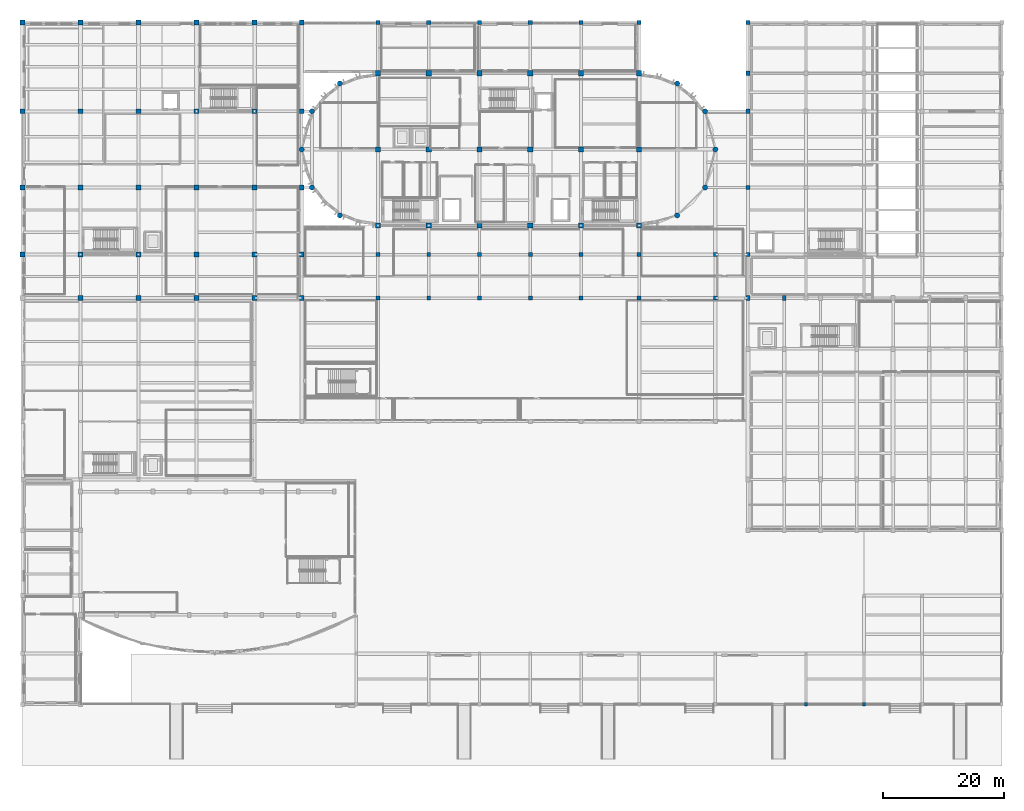
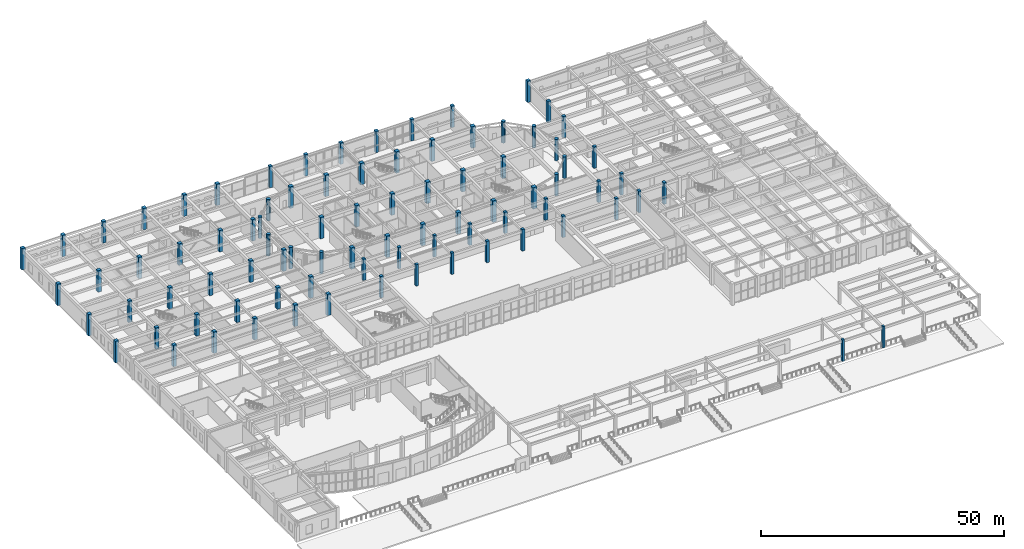
# One storey, part 4 of 98: 86 columns.
"""IFC4 building model written with IfcOpenShell, lengths in metres."""

from ifc_helpers import new_model, si_unit, direction, frame, origin, origin_2d, place, context, subcontext, project, spatial, rectangle, circle, extrude, material, material_profile, profile_set, type_object, element, save


model = new_model("IFC4")

# Units and contexts
model_context = context("Model", 3, precision=1e-05, world=origin(), true_north=direction((0.0, 1.0)))
body_context = subcontext(model_context, "Body", "Model", "MODEL_VIEW")
ifc_project = project(units=[si_unit("LENGTHUNIT", "METRE"), si_unit("AREAUNIT", "SQUARE_METRE"), si_unit("VOLUMEUNIT", "CUBIC_METRE"), si_unit("PLANEANGLEUNIT", "RADIAN"), si_unit("MASSUNIT", "GRAM", prefix="KILO")], contexts=[model_context])

# Site, building, storey
site_placement = place(None, origin())
site = spatial("IfcSite", under=ifc_project, at=site_placement, CompositionType="ELEMENT")
building_placement = place(site_placement, origin())
building = spatial("IfcBuilding", under=site, at=building_placement, Name="Tarnavel Promenade Courthouse", CompositionType="ELEMENT")
storey_placement = place(building_placement, origin())
storey = spatial("IfcBuildingStorey", under=building, at=storey_placement, Name="L01", CompositionType="ELEMENT", Elevation=0.0)

# Columns
ifc_material = material(Name="Concrete C40/50", Category="concrete")
ifc_material_profile_1 = material_profile(ifc_material, circle(Radius=0.425048828125, at=origin_2d()), Name="RCC D850")
ifc_profile_set_1 = profile_set([ifc_material_profile_1], Name="Concrete C40/50")
column_type_1 = type_object("IfcColumnType", Name="Concrete C40/50 COL-DRUM-D850 (RCC D850)", PredefinedType="COLUMN", material=ifc_profile_set_1)
for number, where, z_axis, x_axis, name in (
    (1, (52.5, 102.7119140625, 0.0), (0.0, 0.0, 1.0), (1.0, 0.0, 0.0), "L01 Structural Column 0230"),
    (2, (108.300048828125, 80.88818359375, 0.0), (0.0, 0.0, 1.0), (1.0, 0.0, 0.0), "L01 Structural Column 0240"),
    (3, (47.88818359375, 98.10009765625, 0.0), (0.0, 0.0, 1.0), (1.0, 0.0, 0.0), "L01 Structural Column 0250"),
    (4, (112.911865234375, 85.5, 0.0), (0.0, 0.0, 1.0), (1.0, 0.0, 0.0), "L01 Structural Column 0260"),
    (5, (46.199951171875, 91.800048828125, 0.0), (0.0, 0.0, 1.0), (1.0, 0.0, 0.0), "L01 Structural Column 0270"),
    (6, (114.60009765625, 91.800048828125, 0.0), (0.0, 0.0, 1.0), (1.0, 0.0, 0.0), "L01 Structural Column 0280"),
    (7, (47.88818359375, 85.5, 0.0), (0.0, 0.0, 1.0), (1.0, 0.0, 0.0), "L01 Structural Column 0290"),
    (8, (112.911865234375, 98.10009765625, 0.0), (0.0, 0.0, 1.0), (1.0, 0.0, 0.0), "L01 Structural Column 0300"),
    (9, (52.5, 80.88818359375, 0.0), (0.0, 0.0, 1.0), (1.0, 0.0, 0.0), "L01 Structural Column 0310"),
    (10, (108.300048828125, 102.7119140625, 0.0), (0.0, 0.0, 1.0), (1.0, 0.0, 0.0), "L01 Structural Column 0320"),
):
    element("IfcColumn", number, at=place(storey_placement, frame(where, z_axis=z_axis, x_axis=x_axis)), inside=storey, type_object=column_type_1, Name=name, PredefinedType="COLUMN", context=body_context, shape_type="SweptSolid", body=[
        extrude(circle(Radius=0.425048828125, at=origin_2d()), origin(), (0.0, 0.0, 1.0), 5.39990234375),
    ])
ifc_material_profile_2 = material_profile(ifc_material, rectangle(XDim=0.449951171875, YDim=0.60009765625, at=origin_2d()), Name="RC 450x600")
ifc_profile_set_2 = profile_set([ifc_material_profile_2], Name="Concrete C40/50")
column_type_2 = type_object("IfcColumnType", Name="Concrete C40/50 COL-PIL-450x600 (RC 450x600)", PredefinedType="PILASTER", material=ifc_profile_set_2)
for number, where, z_axis, x_axis, name in (
    (11, (129.60009765625, 0.0, 0.0), (0.0, 0.0, 1.0), (1.0, 0.0, 0.0), "L01 Structural Column 1121"),
    (12, (139.199951171875, 0.0, 0.0), (0.0, 0.0, 1.0), (1.0, 0.0, 0.0), "L01 Structural Column 1125"),
):
    element("IfcColumn", number, at=place(storey_placement, frame(where, z_axis=z_axis, x_axis=x_axis)), inside=storey, type_object=column_type_2, Name=name, PredefinedType="PILASTER", context=body_context, shape_type="SweptSolid", body=[
        extrude(rectangle(XDim=0.449951171875, YDim=0.60009765625, at=origin_2d()), origin(), (0.0, 0.0, 1.0), 5.39990234375),
    ])
ifc_material_profile_3 = material_profile(ifc_material, rectangle(XDim=0.60009765625, YDim=0.800048828125, at=origin_2d()), Name="RC 600x800")
ifc_profile_set_3 = profile_set([ifc_material_profile_3], Name="Concrete C40/50")
column_type_3 = type_object("IfcColumnType", Name="Concrete C40/50 COL-RC600x800 (RC 600x800)", PredefinedType="COLUMN", material=ifc_profile_set_3)
for number, where, z_axis, x_axis, name in (
    (13, (120.0, 67.199951171875, 0.0), (0.0, 0.0, 1.0), (1.0, 0.0, 0.0), "L01 Structural Column 0742"),
    (14, (126.0, 67.199951171875, 0.0), (0.0, 0.0, 1.0), (1.0, 0.0, 0.0), "L01 Structural Column 0762"),
):
    element("IfcColumn", number, at=place(storey_placement, frame(where, z_axis=z_axis, x_axis=x_axis)), inside=storey, type_object=column_type_3, Name=name, PredefinedType="COLUMN", context=body_context, shape_type="SweptSolid", body=[
        extrude(rectangle(XDim=0.60009765625, YDim=0.800048828125, at=origin_2d()), origin(), (0.0, 0.0, 1.0), 5.39990234375),
    ])
ifc_material_profile_4 = material_profile(ifc_material, rectangle(XDim=0.64990234375, YDim=0.64990234375, at=origin_2d()), Name="RC 650x650")
ifc_profile_set_4 = profile_set([ifc_material_profile_4], Name="Concrete C40/50")
column_type_4 = type_object("IfcColumnType", Name="Concrete C40/50 COL-RC650-UPP (RC 650x650)", PredefinedType="COLUMN", material=ifc_profile_set_4)
for number, where, z_axis, x_axis, name in (
    (15, (58.800048828125, 67.199951171875, 0.0), (0.0, 0.0, 1.0), (1.0, 0.0, 0.0), "L01 Structural Column 1007"),
    (16, (58.800048828125, 74.39990234375, 0.0), (0.0, 0.0, 1.0), (1.0, 0.0, 0.0), "L01 Structural Column 1011"),
    (17, (67.199951171875, 67.199951171875, 0.0), (0.0, 0.0, 1.0), (1.0, 0.0, 0.0), "L01 Structural Column 1019"),
    (18, (67.199951171875, 74.39990234375, 0.0), (0.0, 0.0, 1.0), (1.0, 0.0, 0.0), "L01 Structural Column 1023"),
    (19, (75.60009765625, 67.199951171875, 0.0), (0.0, 0.0, 1.0), (1.0, 0.0, 0.0), "L01 Structural Column 1031"),
    (20, (75.60009765625, 74.39990234375, 0.0), (0.0, 0.0, 1.0), (1.0, 0.0, 0.0), "L01 Structural Column 1035"),
    (21, (84.0, 67.199951171875, 0.0), (0.0, 0.0, 1.0), (1.0, 0.0, 0.0), "L01 Structural Column 1043"),
    (22, (84.0, 74.39990234375, 0.0), (0.0, 0.0, 1.0), (1.0, 0.0, 0.0), "L01 Structural Column 1047"),
    (23, (92.39990234375, 67.199951171875, 0.0), (0.0, 0.0, 1.0), (1.0, 0.0, 0.0), "L01 Structural Column 1055"),
    (24, (92.39990234375, 74.39990234375, 0.0), (0.0, 0.0, 1.0), (1.0, 0.0, 0.0), "L01 Structural Column 1059"),
    (25, (102.0, 67.199951171875, 0.0), (0.0, 0.0, 1.0), (1.0, 0.0, 0.0), "L01 Structural Column 1067"),
    (26, (102.0, 74.39990234375, 0.0), (0.0, 0.0, 1.0), (1.0, 0.0, 0.0), "L01 Structural Column 1071"),
    (27, (114.60009765625, 67.199951171875, 0.0), (0.0, 0.0, 1.0), (1.0, 0.0, 0.0), "L01 Structural Column 1079"),
    (28, (114.60009765625, 74.39990234375, 0.0), (0.0, 0.0, 1.0), (1.0, 0.0, 0.0), "L01 Structural Column 1083"),
):
    element("IfcColumn", number, at=place(storey_placement, frame(where, z_axis=z_axis, x_axis=x_axis)), inside=storey, type_object=column_type_4, Name=name, PredefinedType="COLUMN", context=body_context, shape_type="SweptSolid", body=[
        extrude(rectangle(XDim=0.64990234375, YDim=0.64990234375, at=origin_2d()), origin(), (0.0, 0.0, 1.0), 5.39990234375),
    ])
ifc_material_profile_5 = material_profile(ifc_material, rectangle(XDim=0.699951171875, YDim=0.699951171875, at=origin_2d()), Name="RC 700x700")
ifc_profile_set_5 = profile_set([ifc_material_profile_5], Name="Concrete C40/50")
column_type_5 = type_object("IfcColumnType", Name="Concrete C40/50 COL-RC700-MID (RC 700x700)", PredefinedType="COLUMN", material=ifc_profile_set_5)
for number, where, z_axis, x_axis, name in (
    (29, (58.800048828125, 112.800048828125, 0.0), (0.0, 0.0, 1.0), (1.0, 0.0, 0.0), "L01 Structural Column 0032"),
    (30, (67.199951171875, 112.800048828125, 0.0), (0.0, 0.0, 1.0), (1.0, 0.0, 0.0), "L01 Structural Column 0074"),
    (31, (75.60009765625, 112.800048828125, 0.0), (0.0, 0.0, 1.0), (1.0, 0.0, 0.0), "L01 Structural Column 0112"),
    (32, (84.0, 112.800048828125, 0.0), (0.0, 0.0, 1.0), (1.0, 0.0, 0.0), "L01 Structural Column 0150"),
    (33, (92.39990234375, 112.800048828125, 0.0), (0.0, 0.0, 1.0), (1.0, 0.0, 0.0), "L01 Structural Column 0192"),
    (34, (102.0, 112.800048828125, 0.0), (0.0, 0.0, 1.0), (1.0, 0.0, 0.0), "L01 Structural Column 0226"),
    (35, (120.0, 74.39990234375, 0.0), (0.0, 0.0, 1.0), (1.0, 0.0, 0.0), "L01 Structural Column 0887"),
    (36, (120.0, 85.5, 0.0), (0.0, 0.0, 1.0), (1.0, 0.0, 0.0), "L01 Structural Column 0891"),
    (37, (120.0, 98.10009765625, 0.0), (0.0, 0.0, 1.0), (1.0, 0.0, 0.0), "L01 Structural Column 0895"),
    (38, (120.0, 104.39990234375, 0.0), (0.0, 0.0, 1.0), (1.0, 0.0, 0.0), "L01 Structural Column 0899"),
    (39, (120.0, 112.800048828125, 0.0), (0.0, 0.0, 1.0), (1.0, 0.0, 0.0), "L01 Structural Column 0903"),
):
    element("IfcColumn", number, at=place(storey_placement, frame(where, z_axis=z_axis, x_axis=x_axis)), inside=storey, type_object=column_type_5, Name=name, PredefinedType="COLUMN", context=body_context, shape_type="SweptSolid", body=[
        extrude(rectangle(XDim=0.699951171875, YDim=0.699951171875, at=origin_2d()), origin(), (0.0, 0.0, 1.0), 5.39990234375),
    ])
ifc_material_profile_6 = material_profile(ifc_material, rectangle(XDim=0.800048828125, YDim=0.800048828125, at=origin_2d()), Name="RC 800x800")
ifc_profile_set_6 = profile_set([ifc_material_profile_6], Name="Concrete C40/50")
column_type_6 = type_object("IfcColumnType", Name="Concrete C40/50 COL-RC800-LOW (RC 800x800)", PredefinedType="COLUMN", material=ifc_profile_set_6)
for number, where, z_axis, x_axis, name in (
    (40, (0.0, 74.39990234375, 0.0), (0.0, 0.0, 1.0), (1.0, 0.0, 0.0), "L01 Structural Column 0336"),
    (41, (0.0, 85.5, 0.0), (0.0, 0.0, 1.0), (1.0, 0.0, 0.0), "L01 Structural Column 0343"),
    (42, (0.0, 98.10009765625, 0.0), (0.0, 0.0, 1.0), (1.0, 0.0, 0.0), "L01 Structural Column 0350"),
    (43, (0.0, 112.800048828125, 0.0), (0.0, 0.0, 1.0), (1.0, 0.0, 0.0), "L01 Structural Column 0357"),
    (44, (9.60009765625, 67.199951171875, 0.0), (0.0, 0.0, 1.0), (1.0, 0.0, 0.0), "L01 Structural Column 0364"),
    (45, (9.60009765625, 74.39990234375, 0.0), (0.0, 0.0, 1.0), (1.0, 0.0, 0.0), "L01 Structural Column 0370"),
    (46, (9.60009765625, 85.5, 0.0), (0.0, 0.0, 1.0), (1.0, 0.0, 0.0), "L01 Structural Column 0377"),
    (47, (9.60009765625, 98.10009765625, 0.0), (0.0, 0.0, 1.0), (1.0, 0.0, 0.0), "L01 Structural Column 0384"),
    (48, (9.60009765625, 112.800048828125, 0.0), (0.0, 0.0, 1.0), (1.0, 0.0, 0.0), "L01 Structural Column 0391"),
    (49, (19.199951171875, 67.199951171875, 0.0), (0.0, 0.0, 1.0), (1.0, 0.0, 0.0), "L01 Structural Column 0398"),
    (50, (19.199951171875, 74.39990234375, 0.0), (0.0, 0.0, 1.0), (1.0, 0.0, 0.0), "L01 Structural Column 0404"),
    (51, (19.199951171875, 85.5, 0.0), (0.0, 0.0, 1.0), (1.0, 0.0, 0.0), "L01 Structural Column 0411"),
    (52, (19.199951171875, 98.10009765625, 0.0), (0.0, 0.0, 1.0), (1.0, 0.0, 0.0), "L01 Structural Column 0418"),
    (53, (19.199951171875, 112.800048828125, 0.0), (0.0, 0.0, 1.0), (1.0, 0.0, 0.0), "L01 Structural Column 0425"),
    (54, (28.800048828125, 67.199951171875, 0.0), (0.0, 0.0, 1.0), (1.0, 0.0, 0.0), "L01 Structural Column 0432"),
    (55, (28.800048828125, 74.39990234375, 0.0), (0.0, 0.0, 1.0), (1.0, 0.0, 0.0), "L01 Structural Column 0438"),
    (56, (28.800048828125, 85.5, 0.0), (0.0, 0.0, 1.0), (1.0, 0.0, 0.0), "L01 Structural Column 0445"),
    (57, (28.800048828125, 98.10009765625, 0.0), (0.0, 0.0, 1.0), (1.0, 0.0, 0.0), "L01 Structural Column 0452"),
    (58, (28.800048828125, 112.800048828125, 0.0), (0.0, 0.0, 1.0), (1.0, 0.0, 0.0), "L01 Structural Column 0459"),
    (59, (38.39990234375, 67.199951171875, 0.0), (0.0, 0.0, 1.0), (1.0, 0.0, 0.0), "L01 Structural Column 0466"),
    (60, (38.39990234375, 74.39990234375, 0.0), (0.0, 0.0, 1.0), (1.0, 0.0, 0.0), "L01 Structural Column 0472"),
    (61, (38.39990234375, 85.5, 0.0), (0.0, 0.0, 1.0), (1.0, 0.0, 0.0), "L01 Structural Column 0479"),
    (62, (38.39990234375, 98.10009765625, 0.0), (0.0, 0.0, 1.0), (1.0, 0.0, 0.0), "L01 Structural Column 0486"),
    (63, (38.39990234375, 112.800048828125, 0.0), (0.0, 0.0, 1.0), (1.0, 0.0, 0.0), "L01 Structural Column 0493"),
    (64, (46.199951171875, 67.199951171875, 0.0), (0.0, 0.0, 1.0), (1.0, 0.0, 0.0), "L01 Structural Column 0500"),
    (65, (46.199951171875, 74.39990234375, 0.0), (0.0, 0.0, 1.0), (1.0, 0.0, 0.0), "L01 Structural Column 0506"),
    (66, (46.199951171875, 85.5, 0.0), (0.0, 0.0, 1.0), (1.0, 0.0, 0.0), "L01 Structural Column 0513"),
    (67, (46.199951171875, 98.10009765625, 0.0), (0.0, 0.0, 1.0), (1.0, 0.0, 0.0), "L01 Structural Column 0520"),
    (68, (46.199951171875, 112.800048828125, 0.0), (0.0, 0.0, 1.0), (1.0, 0.0, 0.0), "L01 Structural Column 0527"),
):
    element("IfcColumn", number, at=place(storey_placement, frame(where, z_axis=z_axis, x_axis=x_axis)), inside=storey, type_object=column_type_6, Name=name, PredefinedType="COLUMN", context=body_context, shape_type="SweptSolid", body=[
        extrude(rectangle(XDim=0.800048828125, YDim=0.800048828125, at=origin_2d()), origin(), (0.0, 0.0, 1.0), 5.39990234375),
    ])
ifc_material_profile_7 = material_profile(ifc_material, rectangle(XDim=0.85009765625, YDim=0.85009765625, at=origin_2d()), Name="RC 850x850")
ifc_profile_set_7 = profile_set([ifc_material_profile_7], Name="Concrete C40/50")
column_type_7 = type_object("IfcColumnType", Name="Concrete C40/50 COL-RC850-LOW (RC 850x850)", PredefinedType="COLUMN", material=ifc_profile_set_7)
for number, where, z_axis, x_axis, name in (
    (69, (58.800048828125, 79.199951171875, 0.0), (0.0, 0.0, 1.0), (1.0, 0.0, 0.0), "L01 Structural Column 0002"),
    (70, (58.800048828125, 91.800048828125, 0.0), (0.0, 0.0, 1.0), (1.0, 0.0, 0.0), "L01 Structural Column 0012"),
    (71, (58.800048828125, 104.39990234375, 0.0), (0.0, 0.0, 1.0), (1.0, 0.0, 0.0), "L01 Structural Column 0022"),
    (72, (67.199951171875, 79.199951171875, 0.0), (0.0, 0.0, 1.0), (1.0, 0.0, 0.0), "L01 Structural Column 0036"),
    (73, (67.199951171875, 91.800048828125, 0.0), (0.0, 0.0, 1.0), (1.0, 0.0, 0.0), "L01 Structural Column 0046"),
    (74, (67.199951171875, 104.39990234375, 0.0), (0.0, 0.0, 1.0), (1.0, 0.0, 0.0), "L01 Structural Column 0056"),
    (75, (75.60009765625, 79.199951171875, 0.0), (0.0, 0.0, 1.0), (1.0, 0.0, 0.0), "L01 Structural Column 0078"),
    (76, (75.60009765625, 91.800048828125, 0.0), (0.0, 0.0, 1.0), (1.0, 0.0, 0.0), "L01 Structural Column 0088"),
    (77, (75.60009765625, 104.39990234375, 0.0), (0.0, 0.0, 1.0), (1.0, 0.0, 0.0), "L01 Structural Column 0098"),
    (78, (84.0, 79.199951171875, 0.0), (0.0, 0.0, 1.0), (1.0, 0.0, 0.0), "L01 Structural Column 0116"),
    (79, (84.0, 91.800048828125, 0.0), (0.0, 0.0, 1.0), (1.0, 0.0, 0.0), "L01 Structural Column 0126"),
    (80, (84.0, 104.39990234375, 0.0), (0.0, 0.0, 1.0), (1.0, 0.0, 0.0), "L01 Structural Column 0136"),
    (81, (92.39990234375, 79.199951171875, 0.0), (0.0, 0.0, 1.0), (1.0, 0.0, 0.0), "L01 Structural Column 0154"),
    (82, (92.39990234375, 91.800048828125, 0.0), (0.0, 0.0, 1.0), (1.0, 0.0, 0.0), "L01 Structural Column 0164"),
    (83, (92.39990234375, 104.39990234375, 0.0), (0.0, 0.0, 1.0), (1.0, 0.0, 0.0), "L01 Structural Column 0174"),
    (84, (102.0, 79.199951171875, 0.0), (0.0, 0.0, 1.0), (1.0, 0.0, 0.0), "L01 Structural Column 0196"),
    (85, (102.0, 91.800048828125, 0.0), (0.0, 0.0, 1.0), (1.0, 0.0, 0.0), "L01 Structural Column 0206"),
    (86, (102.0, 104.39990234375, 0.0), (0.0, 0.0, 1.0), (1.0, 0.0, 0.0), "L01 Structural Column 0216"),
):
    element("IfcColumn", number, at=place(storey_placement, frame(where, z_axis=z_axis, x_axis=x_axis)), inside=storey, type_object=column_type_7, Name=name, PredefinedType="COLUMN", context=body_context, shape_type="SweptSolid", body=[
        extrude(rectangle(XDim=0.85009765625, YDim=0.85009765625, at=origin_2d()), origin(), (0.0, 0.0, 1.0), 5.39990234375),
    ])

save(model, "model.ifc")
